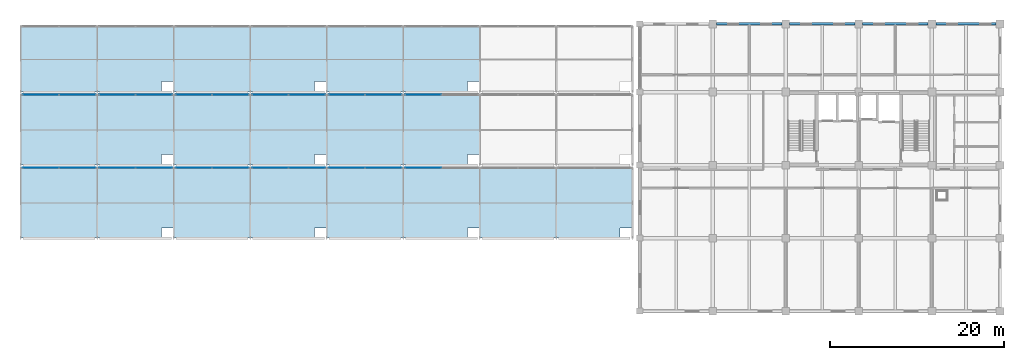
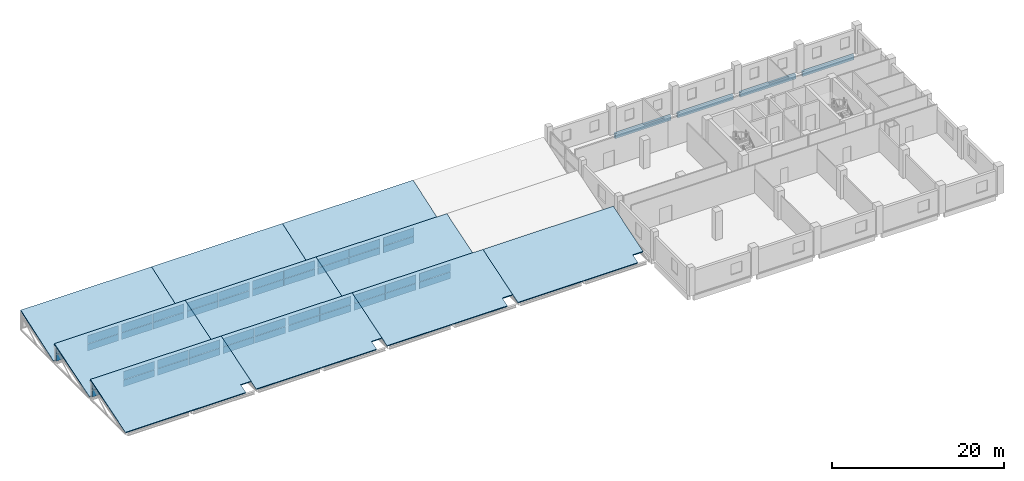
# One storey, part 27 of 40: 44 plates, 10 slabs, 4 beams, 13 elements without a shape of their own.
"""IFC4 building model written with IfcOpenShell, lengths in metres."""

from ifc_helpers import new_model, si_unit, direction, frame, origin, origin_2d, place, context, subcontext, project, spatial, polyline, rectangle, outline, extrude, material, layer, layer_set, material_profile, profile_set, type_object, element, aggregate, save


model = new_model("IFC4")

# Units and contexts
model_context = context("Model", 3, precision=1e-05, world=origin(), true_north=direction((0.0, 1.0)))
body_context = subcontext(model_context, "Body", "Model", "MODEL_VIEW")
ifc_project = project(units=[si_unit("LENGTHUNIT", "METRE"), si_unit("AREAUNIT", "SQUARE_METRE"), si_unit("VOLUMEUNIT", "CUBIC_METRE"), si_unit("PLANEANGLEUNIT", "RADIAN"), si_unit("MASSUNIT", "GRAM", prefix="KILO")], contexts=[model_context])

# Site, building, storey
site_placement = place(None, origin())
site = spatial("IfcSite", under=ifc_project, at=site_placement, CompositionType="ELEMENT")
building_placement = place(site_placement, origin())
building = spatial("IfcBuilding", under=site, at=building_placement, Name="Brinegate Botanical Conservatory", CompositionType="ELEMENT")
storey_placement = place(building_placement, frame((0.0, 0.0, 19.199951171875)))
storey = spatial("IfcBuildingStorey", under=building, at=storey_placement, Name="L05", CompositionType="ELEMENT", Elevation=19.199951171875)

# Beams
ifc_material_1 = material(Name="Concrete C40/50", Category="concrete")
ifc_material_profile = material_profile(ifc_material_1, rectangle(XDim=0.300048828125, YDim=0.699951171875, at=origin_2d()), Name="RC SPN 300x700")
ifc_profile_set = profile_set([ifc_material_profile], Name="Concrete C40/50")
beam_type = type_object("IfcBeamType", Name="Beam_SP-02", PredefinedType="SPANDREL", material=ifc_profile_set)
for number, where, z_axis, x_axis, name in (
    (1, (130.85009765625, 111.449951171875, -0.58984375), (1.0, 0.0, 0.0), (0.0, 1.0, 0.0), "Beam SP-02 L05 P:17-18"),
    (2, (139.25, 111.449951171875, -0.58984375), (1.0, 0.0, 0.0), (0.0, 1.0, 0.0), "Beam SP-02 L05 P:18-19"),
    (3, (147.64990234375, 111.449951171875, -0.58984375), (1.0, 0.0, 0.0), (0.0, 1.0, 0.0), "Beam SP-02 L05 P:19-20"),
):
    element("IfcBeam", number, at=place(storey_placement, frame(where, z_axis=z_axis, x_axis=x_axis)), inside=storey, type_object=beam_type, Name=name, PredefinedType="SPANDREL", context=body_context, shape_type="SweptSolid", body=[
        extrude(rectangle(XDim=0.300048828125, YDim=0.699951171875, at=origin_2d()), origin(), (0.0, 0.0, 1.0), 7.5),
    ])
beam_placement = place(storey_placement, frame((156.050048828125, 111.449951171875, -0.58984375), z_axis=(1.0, 0.0, 0.0), x_axis=(0.0, 1.0, 0.0)))
element("IfcBeam", 4, at=beam_placement, inside=storey, type_object=beam_type, Name="Beam SP-02 L05 P:20-21", PredefinedType="SPANDREL", context=body_context, shape_type="SweptSolid", body=[
    extrude(rectangle(XDim=0.300048828125, YDim=0.699951171875, at=origin_2d()), origin(), (0.0, 0.0, 1.0), 6.949951171875),
])

# Curtain wall, plates
ifc_material_2 = material(Name="Thermally broken anodised aluminium AW-6063-T6", Category="aluminium")
curtain_wall_type = type_object("IfcCurtainWallType", Name="CW_CW-SAW", PredefinedType="USERDEFINED", material=ifc_material_2)
curtain_wall_1_placement = place(storey_placement, origin())
curtain_wall_1 = element("IfcCurtainWall", 5, at=curtain_wall_1_placement, inside=storey, type_object=curtain_wall_type, Name="Sawtooth north-light clerestory B1.1", ObjectType="FACTORY CURTAIN WALL", PredefinedType="USERDEFINED")
ifc_material_3 = material(Name="Double-silver Low-E laminated safety glass", Category="glass")
ifc_layer_1 = layer(ifc_material_3, 0.0400390625, Name="Double-silver Low-E laminated safety glass", Category="glass")
ifc_layer_set_1 = layer_set([ifc_layer_1], Name="Double-silver Low-E laminated safety glass")
plate_type = type_object("IfcPlateType", Name="Plate_PN-40", PredefinedType="CURTAIN_PANEL", material=ifc_layer_set_1)
plate_1_placement = place(storey_placement, frame((53.090087890625, 94.89990234375, 0.2099609375), z_axis=(0.0, 0.0, 1.0), x_axis=(1.0, 0.0, 0.0)))
plate_1 = element("IfcPlate", 6, at=plate_1_placement, type_object=plate_type, Name="CW-SAW panel 1.1", PredefinedType="CURTAIN_PANEL", context=body_context, shape_type="SweptSolid", body=[
    extrude(rectangle(XDim=4.159912109375, YDim=0.0400390625, at=origin_2d()), origin(), (0.0, 0.0, 1.0), 0.945068359375),
])
plate_2_placement = place(storey_placement, frame((53.090087890625, 94.89990234375, 1.21484375), z_axis=(0.0, 0.0, 1.0), x_axis=(1.0, 0.0, 0.0)))
plate_2 = element("IfcPlate", 7, at=plate_2_placement, type_object=plate_type, Name="CW-SAW panel 1.2", PredefinedType="CURTAIN_PANEL", context=body_context, shape_type="SweptSolid", body=[
    extrude(rectangle(XDim=4.159912109375, YDim=0.0400390625, at=origin_2d()), origin(), (0.0, 0.0, 1.0), 1.175048828125),
])
plate_3_placement = place(storey_placement, frame((57.31005859375, 94.89990234375, 0.2099609375), z_axis=(0.0, 0.0, 1.0), x_axis=(1.0, 0.0, 0.0)))
plate_3 = element("IfcPlate", 8, at=plate_3_placement, type_object=plate_type, Name="CW-SAW panel 2.1", PredefinedType="CURTAIN_PANEL", context=body_context, shape_type="SweptSolid", body=[
    extrude(rectangle(XDim=4.159912109375, YDim=0.0400390625, at=origin_2d()), origin(), (0.0, 0.0, 1.0), 0.945068359375),
])
plate_4_placement = place(storey_placement, frame((57.31005859375, 94.89990234375, 1.21484375), z_axis=(0.0, 0.0, 1.0), x_axis=(1.0, 0.0, 0.0)))
plate_4 = element("IfcPlate", 9, at=plate_4_placement, type_object=plate_type, Name="CW-SAW panel 2.2", PredefinedType="CURTAIN_PANEL", context=body_context, shape_type="SweptSolid", body=[
    extrude(rectangle(XDim=4.159912109375, YDim=0.0400390625, at=origin_2d()), origin(), (0.0, 0.0, 1.0), 1.175048828125),
])
aggregate(curtain_wall_1, [plate_1, plate_2, plate_3, plate_4])

curtain_wall_2_placement = place(storey_placement, origin())
curtain_wall_2 = element("IfcCurtainWall", 10, at=curtain_wall_2_placement, inside=storey, type_object=curtain_wall_type, Name="Sawtooth north-light clerestory B1.2", ObjectType="FACTORY CURTAIN WALL", PredefinedType="USERDEFINED")
plate_5_placement = place(storey_placement, frame((61.889892578125, 94.89990234375, 0.2099609375), z_axis=(0.0, 0.0, 1.0), x_axis=(1.0, 0.0, 0.0)))
plate_5 = element("IfcPlate", 11, at=plate_5_placement, type_object=plate_type, Name="CW-SAW panel 1.1", PredefinedType="CURTAIN_PANEL", context=body_context, shape_type="SweptSolid", body=[
    extrude(rectangle(XDim=4.159912109375, YDim=0.0400390625, at=origin_2d()), origin(), (0.0, 0.0, 1.0), 0.945068359375),
])
plate_6_placement = place(storey_placement, frame((61.889892578125, 94.89990234375, 1.21484375), z_axis=(0.0, 0.0, 1.0), x_axis=(1.0, 0.0, 0.0)))
plate_6 = element("IfcPlate", 12, at=plate_6_placement, type_object=plate_type, Name="CW-SAW panel 1.2", PredefinedType="CURTAIN_PANEL", context=body_context, shape_type="SweptSolid", body=[
    extrude(rectangle(XDim=4.159912109375, YDim=0.0400390625, at=origin_2d()), origin(), (0.0, 0.0, 1.0), 1.175048828125),
])
plate_7_placement = place(storey_placement, frame((66.110107421875, 94.89990234375, 0.2099609375), z_axis=(0.0, 0.0, 1.0), x_axis=(1.0, 0.0, 0.0)))
plate_7 = element("IfcPlate", 13, at=plate_7_placement, type_object=plate_type, Name="CW-SAW panel 2.1", PredefinedType="CURTAIN_PANEL", context=body_context, shape_type="SweptSolid", body=[
    extrude(rectangle(XDim=4.159912109375, YDim=0.0400390625, at=origin_2d()), origin(), (0.0, 0.0, 1.0), 0.945068359375),
])
plate_8_placement = place(storey_placement, frame((66.110107421875, 94.89990234375, 1.21484375), z_axis=(0.0, 0.0, 1.0), x_axis=(1.0, 0.0, 0.0)))
plate_8 = element("IfcPlate", 14, at=plate_8_placement, type_object=plate_type, Name="CW-SAW panel 2.2", PredefinedType="CURTAIN_PANEL", context=body_context, shape_type="SweptSolid", body=[
    extrude(rectangle(XDim=4.159912109375, YDim=0.0400390625, at=origin_2d()), origin(), (0.0, 0.0, 1.0), 1.175048828125),
])
aggregate(curtain_wall_2, [plate_5, plate_6, plate_7, plate_8])

curtain_wall_3_placement = place(storey_placement, origin())
curtain_wall_3 = element("IfcCurtainWall", 15, at=curtain_wall_3_placement, inside=storey, type_object=curtain_wall_type, Name="Sawtooth north-light clerestory B1.3", ObjectType="FACTORY CURTAIN WALL", PredefinedType="USERDEFINED")
plate_9_placement = place(storey_placement, frame((70.68994140625, 94.89990234375, 0.2099609375), z_axis=(0.0, 0.0, 1.0), x_axis=(1.0, 0.0, 0.0)))
plate_9 = element("IfcPlate", 16, at=plate_9_placement, type_object=plate_type, Name="CW-SAW panel 1.1", PredefinedType="CURTAIN_PANEL", context=body_context, shape_type="SweptSolid", body=[
    extrude(rectangle(XDim=4.159912109375, YDim=0.0400390625, at=origin_2d()), origin(), (0.0, 0.0, 1.0), 0.945068359375),
])
plate_10_placement = place(storey_placement, frame((70.68994140625, 94.89990234375, 1.21484375), z_axis=(0.0, 0.0, 1.0), x_axis=(1.0, 0.0, 0.0)))
plate_10 = element("IfcPlate", 17, at=plate_10_placement, type_object=plate_type, Name="CW-SAW panel 1.2", PredefinedType="CURTAIN_PANEL", context=body_context, shape_type="SweptSolid", body=[
    extrude(rectangle(XDim=4.159912109375, YDim=0.0400390625, at=origin_2d()), origin(), (0.0, 0.0, 1.0), 1.175048828125),
])
plate_11_placement = place(storey_placement, frame((74.909912109375, 94.89990234375, 0.2099609375), z_axis=(0.0, 0.0, 1.0), x_axis=(1.0, 0.0, 0.0)))
plate_11 = element("IfcPlate", 18, at=plate_11_placement, type_object=plate_type, Name="CW-SAW panel 2.1", PredefinedType="CURTAIN_PANEL", context=body_context, shape_type="SweptSolid", body=[
    extrude(rectangle(XDim=4.159912109375, YDim=0.0400390625, at=origin_2d()), origin(), (0.0, 0.0, 1.0), 0.945068359375),
])
plate_12_placement = place(storey_placement, frame((74.909912109375, 94.89990234375, 1.21484375), z_axis=(0.0, 0.0, 1.0), x_axis=(1.0, 0.0, 0.0)))
plate_12 = element("IfcPlate", 19, at=plate_12_placement, type_object=plate_type, Name="CW-SAW panel 2.2", PredefinedType="CURTAIN_PANEL", context=body_context, shape_type="SweptSolid", body=[
    extrude(rectangle(XDim=4.159912109375, YDim=0.0400390625, at=origin_2d()), origin(), (0.0, 0.0, 1.0), 1.175048828125),
])
aggregate(curtain_wall_3, [plate_9, plate_10, plate_11, plate_12])

curtain_wall_4_placement = place(storey_placement, origin())
curtain_wall_4 = element("IfcCurtainWall", 20, at=curtain_wall_4_placement, inside=storey, type_object=curtain_wall_type, Name="Sawtooth north-light clerestory B1.4", ObjectType="FACTORY CURTAIN WALL", PredefinedType="USERDEFINED")
plate_13_placement = place(storey_placement, frame((79.489990234375, 94.89990234375, 0.2099609375), z_axis=(0.0, 0.0, 1.0), x_axis=(1.0, 0.0, 0.0)))
plate_13 = element("IfcPlate", 21, at=plate_13_placement, type_object=plate_type, Name="CW-SAW panel 1.1", PredefinedType="CURTAIN_PANEL", context=body_context, shape_type="SweptSolid", body=[
    extrude(rectangle(XDim=4.159912109375, YDim=0.0400390625, at=origin_2d()), origin(), (0.0, 0.0, 1.0), 0.945068359375),
])
plate_14_placement = place(storey_placement, frame((79.489990234375, 94.89990234375, 1.21484375), z_axis=(0.0, 0.0, 1.0), x_axis=(1.0, 0.0, 0.0)))
plate_14 = element("IfcPlate", 22, at=plate_14_placement, type_object=plate_type, Name="CW-SAW panel 1.2", PredefinedType="CURTAIN_PANEL", context=body_context, shape_type="SweptSolid", body=[
    extrude(rectangle(XDim=4.159912109375, YDim=0.0400390625, at=origin_2d()), origin(), (0.0, 0.0, 1.0), 1.175048828125),
])
plate_15_placement = place(storey_placement, frame((83.7099609375, 94.89990234375, 0.2099609375), z_axis=(0.0, 0.0, 1.0), x_axis=(1.0, 0.0, 0.0)))
plate_15 = element("IfcPlate", 23, at=plate_15_placement, type_object=plate_type, Name="CW-SAW panel 2.1", PredefinedType="CURTAIN_PANEL", context=body_context, shape_type="SweptSolid", body=[
    extrude(rectangle(XDim=4.159912109375, YDim=0.0400390625, at=origin_2d()), origin(), (0.0, 0.0, 1.0), 0.945068359375),
])
plate_16_placement = place(storey_placement, frame((83.7099609375, 94.89990234375, 1.21484375), z_axis=(0.0, 0.0, 1.0), x_axis=(1.0, 0.0, 0.0)))
plate_16 = element("IfcPlate", 24, at=plate_16_placement, type_object=plate_type, Name="CW-SAW panel 2.2", PredefinedType="CURTAIN_PANEL", context=body_context, shape_type="SweptSolid", body=[
    extrude(rectangle(XDim=4.159912109375, YDim=0.0400390625, at=origin_2d()), origin(), (0.0, 0.0, 1.0), 1.175048828125),
])
aggregate(curtain_wall_4, [plate_13, plate_14, plate_15, plate_16])

curtain_wall_5_placement = place(storey_placement, origin())
curtain_wall_5 = element("IfcCurtainWall", 25, at=curtain_wall_5_placement, inside=storey, type_object=curtain_wall_type, Name="Sawtooth north-light clerestory B1.5", ObjectType="FACTORY CURTAIN WALL", PredefinedType="USERDEFINED")
plate_17_placement = place(storey_placement, frame((88.2900390625, 94.89990234375, 0.2099609375), z_axis=(0.0, 0.0, 1.0), x_axis=(1.0, 0.0, 0.0)))
plate_17 = element("IfcPlate", 26, at=plate_17_placement, type_object=plate_type, Name="CW-SAW panel 1.1", PredefinedType="CURTAIN_PANEL", context=body_context, shape_type="SweptSolid", body=[
    extrude(rectangle(XDim=4.159912109375, YDim=0.0400390625, at=origin_2d()), origin(), (0.0, 0.0, 1.0), 0.945068359375),
])
plate_18_placement = place(storey_placement, frame((88.2900390625, 94.89990234375, 1.21484375), z_axis=(0.0, 0.0, 1.0), x_axis=(1.0, 0.0, 0.0)))
plate_18 = element("IfcPlate", 27, at=plate_18_placement, type_object=plate_type, Name="CW-SAW panel 1.2", PredefinedType="CURTAIN_PANEL", context=body_context, shape_type="SweptSolid", body=[
    extrude(rectangle(XDim=4.159912109375, YDim=0.0400390625, at=origin_2d()), origin(), (0.0, 0.0, 1.0), 1.175048828125),
])
plate_19_placement = place(storey_placement, frame((92.510009765625, 94.89990234375, 0.2099609375), z_axis=(0.0, 0.0, 1.0), x_axis=(1.0, 0.0, 0.0)))
plate_19 = element("IfcPlate", 28, at=plate_19_placement, type_object=plate_type, Name="CW-SAW panel 2.1", PredefinedType="CURTAIN_PANEL", context=body_context, shape_type="SweptSolid", body=[
    extrude(rectangle(XDim=4.159912109375, YDim=0.0400390625, at=origin_2d()), origin(), (0.0, 0.0, 1.0), 0.945068359375),
])
plate_20_placement = place(storey_placement, frame((92.510009765625, 94.89990234375, 1.21484375), z_axis=(0.0, 0.0, 1.0), x_axis=(1.0, 0.0, 0.0)))
plate_20 = element("IfcPlate", 29, at=plate_20_placement, type_object=plate_type, Name="CW-SAW panel 2.2", PredefinedType="CURTAIN_PANEL", context=body_context, shape_type="SweptSolid", body=[
    extrude(rectangle(XDim=4.159912109375, YDim=0.0400390625, at=origin_2d()), origin(), (0.0, 0.0, 1.0), 1.175048828125),
])
aggregate(curtain_wall_5, [plate_17, plate_18, plate_19, plate_20])

curtain_wall_6_placement = place(storey_placement, origin())
curtain_wall_6 = element("IfcCurtainWall", 30, at=curtain_wall_6_placement, inside=storey, type_object=curtain_wall_type, Name="Sawtooth north-light clerestory B1.6", ObjectType="FACTORY CURTAIN WALL", PredefinedType="USERDEFINED")
plate_21_placement = place(storey_placement, frame((97.090087890625, 94.89990234375, 0.2099609375), z_axis=(0.0, 0.0, 1.0), x_axis=(1.0, 0.0, 0.0)))
plate_21 = element("IfcPlate", 31, at=plate_21_placement, type_object=plate_type, Name="CW-SAW panel 1.1", PredefinedType="CURTAIN_PANEL", context=body_context, shape_type="SweptSolid", body=[
    extrude(rectangle(XDim=4.159912109375, YDim=0.0400390625, at=origin_2d()), origin(), (0.0, 0.0, 1.0), 0.945068359375),
])
plate_22_placement = place(storey_placement, frame((97.090087890625, 94.89990234375, 1.21484375), z_axis=(0.0, 0.0, 1.0), x_axis=(1.0, 0.0, 0.0)))
plate_22 = element("IfcPlate", 32, at=plate_22_placement, type_object=plate_type, Name="CW-SAW panel 1.2", PredefinedType="CURTAIN_PANEL", context=body_context, shape_type="SweptSolid", body=[
    extrude(rectangle(XDim=4.159912109375, YDim=0.0400390625, at=origin_2d()), origin(), (0.0, 0.0, 1.0), 1.175048828125),
])
aggregate(curtain_wall_6, [plate_21, plate_22])

curtain_wall_7_placement = place(storey_placement, origin())
curtain_wall_7 = element("IfcCurtainWall", 33, at=curtain_wall_7_placement, inside=storey, type_object=curtain_wall_type, Name="Sawtooth north-light clerestory B2.1", ObjectType="FACTORY CURTAIN WALL", PredefinedType="USERDEFINED")
plate_23_placement = place(storey_placement, frame((53.090087890625, 103.300048828125, 0.2099609375), z_axis=(0.0, 0.0, 1.0), x_axis=(1.0, 0.0, 0.0)))
plate_23 = element("IfcPlate", 34, at=plate_23_placement, type_object=plate_type, Name="CW-SAW panel 1.1", PredefinedType="CURTAIN_PANEL", context=body_context, shape_type="SweptSolid", body=[
    extrude(rectangle(XDim=4.159912109375, YDim=0.0400390625, at=origin_2d()), origin(), (0.0, 0.0, 1.0), 0.945068359375),
])
plate_24_placement = place(storey_placement, frame((53.090087890625, 103.300048828125, 1.21484375), z_axis=(0.0, 0.0, 1.0), x_axis=(1.0, 0.0, 0.0)))
plate_24 = element("IfcPlate", 35, at=plate_24_placement, type_object=plate_type, Name="CW-SAW panel 1.2", PredefinedType="CURTAIN_PANEL", context=body_context, shape_type="SweptSolid", body=[
    extrude(rectangle(XDim=4.159912109375, YDim=0.0400390625, at=origin_2d()), origin(), (0.0, 0.0, 1.0), 1.175048828125),
])
plate_25_placement = place(storey_placement, frame((57.31005859375, 103.300048828125, 0.2099609375), z_axis=(0.0, 0.0, 1.0), x_axis=(1.0, 0.0, 0.0)))
plate_25 = element("IfcPlate", 36, at=plate_25_placement, type_object=plate_type, Name="CW-SAW panel 2.1", PredefinedType="CURTAIN_PANEL", context=body_context, shape_type="SweptSolid", body=[
    extrude(rectangle(XDim=4.159912109375, YDim=0.0400390625, at=origin_2d()), origin(), (0.0, 0.0, 1.0), 0.945068359375),
])
plate_26_placement = place(storey_placement, frame((57.31005859375, 103.300048828125, 1.21484375), z_axis=(0.0, 0.0, 1.0), x_axis=(1.0, 0.0, 0.0)))
plate_26 = element("IfcPlate", 37, at=plate_26_placement, type_object=plate_type, Name="CW-SAW panel 2.2", PredefinedType="CURTAIN_PANEL", context=body_context, shape_type="SweptSolid", body=[
    extrude(rectangle(XDim=4.159912109375, YDim=0.0400390625, at=origin_2d()), origin(), (0.0, 0.0, 1.0), 1.175048828125),
])
aggregate(curtain_wall_7, [plate_23, plate_24, plate_25, plate_26])

curtain_wall_8_placement = place(storey_placement, origin())
curtain_wall_8 = element("IfcCurtainWall", 38, at=curtain_wall_8_placement, inside=storey, type_object=curtain_wall_type, Name="Sawtooth north-light clerestory B2.2", ObjectType="FACTORY CURTAIN WALL", PredefinedType="USERDEFINED")
plate_27_placement = place(storey_placement, frame((61.889892578125, 103.300048828125, 0.2099609375), z_axis=(0.0, 0.0, 1.0), x_axis=(1.0, 0.0, 0.0)))
plate_27 = element("IfcPlate", 39, at=plate_27_placement, type_object=plate_type, Name="CW-SAW panel 1.1", PredefinedType="CURTAIN_PANEL", context=body_context, shape_type="SweptSolid", body=[
    extrude(rectangle(XDim=4.159912109375, YDim=0.0400390625, at=origin_2d()), origin(), (0.0, 0.0, 1.0), 0.945068359375),
])
plate_28_placement = place(storey_placement, frame((61.889892578125, 103.300048828125, 1.21484375), z_axis=(0.0, 0.0, 1.0), x_axis=(1.0, 0.0, 0.0)))
plate_28 = element("IfcPlate", 40, at=plate_28_placement, type_object=plate_type, Name="CW-SAW panel 1.2", PredefinedType="CURTAIN_PANEL", context=body_context, shape_type="SweptSolid", body=[
    extrude(rectangle(XDim=4.159912109375, YDim=0.0400390625, at=origin_2d()), origin(), (0.0, 0.0, 1.0), 1.175048828125),
])
plate_29_placement = place(storey_placement, frame((66.110107421875, 103.300048828125, 0.2099609375), z_axis=(0.0, 0.0, 1.0), x_axis=(1.0, 0.0, 0.0)))
plate_29 = element("IfcPlate", 41, at=plate_29_placement, type_object=plate_type, Name="CW-SAW panel 2.1", PredefinedType="CURTAIN_PANEL", context=body_context, shape_type="SweptSolid", body=[
    extrude(rectangle(XDim=4.159912109375, YDim=0.0400390625, at=origin_2d()), origin(), (0.0, 0.0, 1.0), 0.945068359375),
])
plate_30_placement = place(storey_placement, frame((66.110107421875, 103.300048828125, 1.21484375), z_axis=(0.0, 0.0, 1.0), x_axis=(1.0, 0.0, 0.0)))
plate_30 = element("IfcPlate", 42, at=plate_30_placement, type_object=plate_type, Name="CW-SAW panel 2.2", PredefinedType="CURTAIN_PANEL", context=body_context, shape_type="SweptSolid", body=[
    extrude(rectangle(XDim=4.159912109375, YDim=0.0400390625, at=origin_2d()), origin(), (0.0, 0.0, 1.0), 1.175048828125),
])
aggregate(curtain_wall_8, [plate_27, plate_28, plate_29, plate_30])

curtain_wall_9_placement = place(storey_placement, origin())
curtain_wall_9 = element("IfcCurtainWall", 43, at=curtain_wall_9_placement, inside=storey, type_object=curtain_wall_type, Name="Sawtooth north-light clerestory B2.3", ObjectType="FACTORY CURTAIN WALL", PredefinedType="USERDEFINED")
plate_31_placement = place(storey_placement, frame((70.68994140625, 103.300048828125, 0.2099609375), z_axis=(0.0, 0.0, 1.0), x_axis=(1.0, 0.0, 0.0)))
plate_31 = element("IfcPlate", 44, at=plate_31_placement, type_object=plate_type, Name="CW-SAW panel 1.1", PredefinedType="CURTAIN_PANEL", context=body_context, shape_type="SweptSolid", body=[
    extrude(rectangle(XDim=4.159912109375, YDim=0.0400390625, at=origin_2d()), origin(), (0.0, 0.0, 1.0), 0.945068359375),
])
plate_32_placement = place(storey_placement, frame((70.68994140625, 103.300048828125, 1.21484375), z_axis=(0.0, 0.0, 1.0), x_axis=(1.0, 0.0, 0.0)))
plate_32 = element("IfcPlate", 45, at=plate_32_placement, type_object=plate_type, Name="CW-SAW panel 1.2", PredefinedType="CURTAIN_PANEL", context=body_context, shape_type="SweptSolid", body=[
    extrude(rectangle(XDim=4.159912109375, YDim=0.0400390625, at=origin_2d()), origin(), (0.0, 0.0, 1.0), 1.175048828125),
])
plate_33_placement = place(storey_placement, frame((74.909912109375, 103.300048828125, 0.2099609375), z_axis=(0.0, 0.0, 1.0), x_axis=(1.0, 0.0, 0.0)))
plate_33 = element("IfcPlate", 46, at=plate_33_placement, type_object=plate_type, Name="CW-SAW panel 2.1", PredefinedType="CURTAIN_PANEL", context=body_context, shape_type="SweptSolid", body=[
    extrude(rectangle(XDim=4.159912109375, YDim=0.0400390625, at=origin_2d()), origin(), (0.0, 0.0, 1.0), 0.945068359375),
])
plate_34_placement = place(storey_placement, frame((74.909912109375, 103.300048828125, 1.21484375), z_axis=(0.0, 0.0, 1.0), x_axis=(1.0, 0.0, 0.0)))
plate_34 = element("IfcPlate", 47, at=plate_34_placement, type_object=plate_type, Name="CW-SAW panel 2.2", PredefinedType="CURTAIN_PANEL", context=body_context, shape_type="SweptSolid", body=[
    extrude(rectangle(XDim=4.159912109375, YDim=0.0400390625, at=origin_2d()), origin(), (0.0, 0.0, 1.0), 1.175048828125),
])
aggregate(curtain_wall_9, [plate_31, plate_32, plate_33, plate_34])

curtain_wall_10_placement = place(storey_placement, origin())
curtain_wall_10 = element("IfcCurtainWall", 48, at=curtain_wall_10_placement, inside=storey, type_object=curtain_wall_type, Name="Sawtooth north-light clerestory B2.4", ObjectType="FACTORY CURTAIN WALL", PredefinedType="USERDEFINED")
plate_35_placement = place(storey_placement, frame((79.489990234375, 103.300048828125, 0.2099609375), z_axis=(0.0, 0.0, 1.0), x_axis=(1.0, 0.0, 0.0)))
plate_35 = element("IfcPlate", 49, at=plate_35_placement, type_object=plate_type, Name="CW-SAW panel 1.1", PredefinedType="CURTAIN_PANEL", context=body_context, shape_type="SweptSolid", body=[
    extrude(rectangle(XDim=4.159912109375, YDim=0.0400390625, at=origin_2d()), origin(), (0.0, 0.0, 1.0), 0.945068359375),
])
plate_36_placement = place(storey_placement, frame((79.489990234375, 103.300048828125, 1.21484375), z_axis=(0.0, 0.0, 1.0), x_axis=(1.0, 0.0, 0.0)))
plate_36 = element("IfcPlate", 50, at=plate_36_placement, type_object=plate_type, Name="CW-SAW panel 1.2", PredefinedType="CURTAIN_PANEL", context=body_context, shape_type="SweptSolid", body=[
    extrude(rectangle(XDim=4.159912109375, YDim=0.0400390625, at=origin_2d()), origin(), (0.0, 0.0, 1.0), 1.175048828125),
])
plate_37_placement = place(storey_placement, frame((83.7099609375, 103.300048828125, 0.2099609375), z_axis=(0.0, 0.0, 1.0), x_axis=(1.0, 0.0, 0.0)))
plate_37 = element("IfcPlate", 51, at=plate_37_placement, type_object=plate_type, Name="CW-SAW panel 2.1", PredefinedType="CURTAIN_PANEL", context=body_context, shape_type="SweptSolid", body=[
    extrude(rectangle(XDim=4.159912109375, YDim=0.0400390625, at=origin_2d()), origin(), (0.0, 0.0, 1.0), 0.945068359375),
])
plate_38_placement = place(storey_placement, frame((83.7099609375, 103.300048828125, 1.21484375), z_axis=(0.0, 0.0, 1.0), x_axis=(1.0, 0.0, 0.0)))
plate_38 = element("IfcPlate", 52, at=plate_38_placement, type_object=plate_type, Name="CW-SAW panel 2.2", PredefinedType="CURTAIN_PANEL", context=body_context, shape_type="SweptSolid", body=[
    extrude(rectangle(XDim=4.159912109375, YDim=0.0400390625, at=origin_2d()), origin(), (0.0, 0.0, 1.0), 1.175048828125),
])
aggregate(curtain_wall_10, [plate_35, plate_36, plate_37, plate_38])

curtain_wall_11_placement = place(storey_placement, origin())
curtain_wall_11 = element("IfcCurtainWall", 53, at=curtain_wall_11_placement, inside=storey, type_object=curtain_wall_type, Name="Sawtooth north-light clerestory B2.5", ObjectType="FACTORY CURTAIN WALL", PredefinedType="USERDEFINED")
plate_39_placement = place(storey_placement, frame((88.2900390625, 103.300048828125, 0.2099609375), z_axis=(0.0, 0.0, 1.0), x_axis=(1.0, 0.0, 0.0)))
plate_39 = element("IfcPlate", 54, at=plate_39_placement, type_object=plate_type, Name="CW-SAW panel 1.1", PredefinedType="CURTAIN_PANEL", context=body_context, shape_type="SweptSolid", body=[
    extrude(rectangle(XDim=4.159912109375, YDim=0.0400390625, at=origin_2d()), origin(), (0.0, 0.0, 1.0), 0.945068359375),
])
plate_40_placement = place(storey_placement, frame((88.2900390625, 103.300048828125, 1.21484375), z_axis=(0.0, 0.0, 1.0), x_axis=(1.0, 0.0, 0.0)))
plate_40 = element("IfcPlate", 55, at=plate_40_placement, type_object=plate_type, Name="CW-SAW panel 1.2", PredefinedType="CURTAIN_PANEL", context=body_context, shape_type="SweptSolid", body=[
    extrude(rectangle(XDim=4.159912109375, YDim=0.0400390625, at=origin_2d()), origin(), (0.0, 0.0, 1.0), 1.175048828125),
])
plate_41_placement = place(storey_placement, frame((92.510009765625, 103.300048828125, 0.2099609375), z_axis=(0.0, 0.0, 1.0), x_axis=(1.0, 0.0, 0.0)))
plate_41 = element("IfcPlate", 56, at=plate_41_placement, type_object=plate_type, Name="CW-SAW panel 2.1", PredefinedType="CURTAIN_PANEL", context=body_context, shape_type="SweptSolid", body=[
    extrude(rectangle(XDim=4.159912109375, YDim=0.0400390625, at=origin_2d()), origin(), (0.0, 0.0, 1.0), 0.945068359375),
])
plate_42_placement = place(storey_placement, frame((92.510009765625, 103.300048828125, 1.21484375), z_axis=(0.0, 0.0, 1.0), x_axis=(1.0, 0.0, 0.0)))
plate_42 = element("IfcPlate", 57, at=plate_42_placement, type_object=plate_type, Name="CW-SAW panel 2.2", PredefinedType="CURTAIN_PANEL", context=body_context, shape_type="SweptSolid", body=[
    extrude(rectangle(XDim=4.159912109375, YDim=0.0400390625, at=origin_2d()), origin(), (0.0, 0.0, 1.0), 1.175048828125),
])
aggregate(curtain_wall_11, [plate_39, plate_40, plate_41, plate_42])

curtain_wall_12_placement = place(storey_placement, origin())
curtain_wall_12 = element("IfcCurtainWall", 58, at=curtain_wall_12_placement, inside=storey, type_object=curtain_wall_type, Name="Sawtooth north-light clerestory B2.6", ObjectType="FACTORY CURTAIN WALL", PredefinedType="USERDEFINED")
plate_43_placement = place(storey_placement, frame((97.090087890625, 103.300048828125, 0.2099609375), z_axis=(0.0, 0.0, 1.0), x_axis=(1.0, 0.0, 0.0)))
plate_43 = element("IfcPlate", 59, at=plate_43_placement, type_object=plate_type, Name="CW-SAW panel 1.1", PredefinedType="CURTAIN_PANEL", context=body_context, shape_type="SweptSolid", body=[
    extrude(rectangle(XDim=4.159912109375, YDim=0.0400390625, at=origin_2d()), origin(), (0.0, 0.0, 1.0), 0.945068359375),
])
plate_44_placement = place(storey_placement, frame((97.090087890625, 103.300048828125, 1.21484375), z_axis=(0.0, 0.0, 1.0), x_axis=(1.0, 0.0, 0.0)))
plate_44 = element("IfcPlate", 60, at=plate_44_placement, type_object=plate_type, Name="CW-SAW panel 1.2", PredefinedType="CURTAIN_PANEL", context=body_context, shape_type="SweptSolid", body=[
    extrude(rectangle(XDim=4.159912109375, YDim=0.0400390625, at=origin_2d()), origin(), (0.0, 0.0, 1.0), 1.175048828125),
])
aggregate(curtain_wall_12, [plate_43, plate_44])

# Roof, slabs
roof_type = type_object("IfcRoofType", Name="Roof_SAWTOOTH", PredefinedType="SHED_ROOF", material=ifc_material_1)
roof_placement = place(storey_placement, origin())
roof = element("IfcRoof", 61, at=roof_placement, inside=storey, type_object=roof_type, Name="Visitor Wing north-light sawtooth roof assembly", PredefinedType="SHED_ROOF")
ifc_layer_2 = layer(ifc_material_1, 0.179931640625, Name="Concrete C40/50", Category="concrete")
ifc_layer_set_2 = layer_set([ifc_layer_2], Name="Concrete C40/50")
slab_type = type_object("IfcSlabType", Name="Slab_SL-RF180", PredefinedType="ROOF", material=ifc_layer_set_2)
slab_1_placement = place(storey_placement, frame((50.800048828125, 86.800048828125, 0.179931640625), z_axis=(-6.330734e-06, -0.30393900328, 0.95269149374), x_axis=(0.99999999998, -1.924157e-06, 6.031236e-06)))
slab_1 = element("IfcSlab", 62, at=slab_1_placement, type_object=slab_type, Name="Visitor sawtooth roof deck bay 1.1", PredefinedType="ROOF", context=body_context, shape_type="SweptSolid", body=[
    extrude(outline(polyline([(0.0, 0.0), (16.199951171550367, -3.4304730966222595e-21), (16.199951172961107, 1.2596091279255797), (17.599853516683055, 1.2596091279255797), (17.599853515384527, 8.554613727947295), (1.122111108526236e-10, 8.554613727947295), (0.0, 0.0)])), origin(), (0.0, 0.0, -1.0), 0.179931640625),
])
slab_2_placement = place(storey_placement, frame((68.39990234375, 86.800048828125, 0.179931640625), z_axis=(-6.330645e-06, -0.303939003307, 0.952691493732), x_axis=(0.99999999998, -1.92413e-06, 6.031152e-06)))
slab_2 = element("IfcSlab", 63, at=slab_2_placement, type_object=slab_type, Name="Visitor sawtooth roof deck bay 1.2", PredefinedType="ROOF", context=body_context, shape_type="SweptSolid", body=[
    extrude(outline(polyline([(0.0, 0.0), (16.20019531217537, 3.430524795410544e-21), (16.20019531358609, 1.2596091279255863), (17.600097657308037, 1.2596091279255863), (17.600097656009527, 8.554613727947297), (1.1220796089294683e-10, 8.554613727947297), (0.0, 0.0)])), origin(), (0.0, 0.0, -1.0), 0.179931640625),
])
slab_3_placement = place(storey_placement, frame((86.0, 86.800048828125, 0.179931640625), z_axis=(-6.330658e-06, -0.303939002959, 0.952691493843), x_axis=(0.99999999998, -1.924134e-06, 6.031164e-06)))
slab_3 = element("IfcSlab", 64, at=slab_3_placement, type_object=slab_type, Name="Visitor sawtooth roof deck bay 1.3", PredefinedType="ROOF", context=body_context, shape_type="SweptSolid", body=[
    extrude(outline(polyline([(0.0, 0.0), (16.199951171550378, -3.4304730966222595e-21), (16.199951172961104, 1.2596091279255048), (17.600097657308044, 1.2596091279255048), (17.60009765600955, 8.55461372794729), (1.1222799365921839e-10, 8.55461372794729), (0.0, 0.0)])), origin(), (0.0, 0.0, -1.0), 0.179931640625),
])
slab_4_placement = place(storey_placement, frame((103.60009765625, 86.800048828125, 0.179931640625), z_axis=(-6.349003e-06, -0.303938997583, 0.952691495558), x_axis=(0.99999999998, -1.929709e-06, 6.048641e-06)))
slab_4 = element("IfcSlab", 65, at=slab_4_placement, type_object=slab_type, Name="Visitor sawtooth roof deck bay 1.4", PredefinedType="ROOF", context=body_context, shape_type="SweptSolid", body=[
    extrude(outline(polyline([(0.0, 0.0), (16.1499023434245, 3.419874845023924e-21), (16.149902344839358, 1.2596091279242472), (17.549804688561142, 1.2596091279242472), (17.549804687259144, 8.554613727947189), (1.1285966273336177e-10, 8.554613727947189), (0.0, 0.0)])), origin(), (0.0, 0.0, -1.0), 0.179931640625),
])
slab_5_placement = place(storey_placement, frame((50.800048828125, 95.199951171875, 0.179931640625), z_axis=(-6.644805e-06, -0.303930641794, 0.952694161279), x_axis=(0.999999999978, -2.01956e-06, 6.330466e-06)))
slab_5 = element("IfcSlab", 66, at=slab_5_placement, type_object=slab_type, Name="Visitor sawtooth roof deck bay 2.1", PredefinedType="ROOF", context=body_context, shape_type="SweptSolid", body=[
    extrude(outline(polyline([(0.0, 0.0), (16.19995117151736, 0.0), (16.199951173071543, 1.2596091259212694), (17.59985351679064, 1.2596091259212694), (17.599853515360074, 8.554846318810222), (1.2362097324671245e-10, 8.554846318810222), (0.0, 0.0)])), origin(), (0.0, 0.0, -1.0), 0.179931640625),
])
slab_6_placement = place(storey_placement, frame((68.39990234375, 95.199951171875, 0.179931640625), z_axis=(-6.644711e-06, -0.303930641823, 0.95269416127), x_axis=(0.999999999978, -2.019531e-06, 6.330378e-06)))
slab_6 = element("IfcSlab", 67, at=slab_6_placement, type_object=slab_type, Name="Visitor sawtooth roof deck bay 2.2", PredefinedType="ROOF", context=body_context, shape_type="SweptSolid", body=[
    extrude(outline(polyline([(0.0, 0.0), (16.200195312142363, 0.0), (16.20019531369653, 1.2596091259212767), (17.600097657415624, 1.2596091259212767), (17.600097655985078, 8.554846318810224), (1.236175030001614e-10, 8.554846318810224), (0.0, 0.0)])), origin(), (0.0, 0.0, -1.0), 0.179931640625),
])
slab_7_placement = place(storey_placement, frame((86.0, 95.199951171875, 0.179931640625), z_axis=(-6.644725e-06, -0.303930641457, 0.952694161386), x_axis=(0.999999999978, -2.019536e-06, 6.330391e-06)))
slab_7 = element("IfcSlab", 68, at=slab_7_placement, type_object=slab_type, Name="Visitor sawtooth roof deck bay 2.3", PredefinedType="ROOF", context=body_context, shape_type="SweptSolid", body=[
    extrude(outline(polyline([(0.0, 0.0), (16.19995117151737, 0.0), (16.199951173071543, 1.2596091259211866), (17.60009765741563, 1.2596091259211866), (17.6000976559851, 8.554846318810215), (1.2363957272481705e-10, 8.554846318810215), (0.0, 0.0)])), origin(), (0.0, 0.0, -1.0), 0.179931640625),
])
slab_8_placement = place(storey_placement, frame((50.800048828125, 103.60009765625, 0.179931640625), z_axis=(-3.037613e-06, -0.323703146531, 0.946158693305), x_axis=(0.999999999995, -9.83285e-07, 2.874064e-06)))
slab_8 = element("IfcSlab", 69, at=slab_8_placement, type_object=slab_type, Name="Visitor sawtooth roof deck bay 3.1", PredefinedType="ROOF", context=body_context, shape_type="SweptSolid", body=[
    extrude(outline(polyline([(0.0, 0.0), (16.19995117180026, 1.7152365483111297e-21), (16.199951172125054, 1.2682711596883265), (17.599853515868595, 1.2682711596883265), (17.599853515569638, 8.032327264306533), (2.5834054366289977e-11, 8.032327264306533), (0.0, 0.0)])), origin(), (0.0, 0.0, -1.0), 0.179931640625),
])
slab_9_placement = place(storey_placement, frame((68.39990234375, 103.60009765625, 0.179931640625), z_axis=(-3.03757e-06, -0.323703146545, 0.9461586933), x_axis=(0.999999999995, -9.83271e-07, 2.874023e-06)))
slab_9 = element("IfcSlab", 70, at=slab_9_placement, type_object=slab_type, Name="Visitor sawtooth roof deck bay 3.2", PredefinedType="ROOF", context=body_context, shape_type="SweptSolid", body=[
    extrude(outline(polyline([(0.0, 0.0), (16.20019531242526, 3.430524795410544e-21), (16.200195312750047, 1.268271159688328), (17.60009765649359, 1.268271159688328), (17.600097656194638, 8.032327264306533), (2.583332853952231e-11, 8.032327264306533), (0.0, 0.0)])), origin(), (0.0, 0.0, -1.0), 0.179931640625),
])
slab_10_placement = place(storey_placement, frame((86.0, 103.60009765625, 0.179931640625), z_axis=(-3.037577e-06, -0.323703146368, 0.946158693361), x_axis=(0.999999999995, -9.83273e-07, 2.87403e-06)))
slab_10 = element("IfcSlab", 71, at=slab_10_placement, type_object=slab_type, Name="Visitor sawtooth roof deck bay 3.3", PredefinedType="ROOF", context=body_context, shape_type="SweptSolid", body=[
    extrude(outline(polyline([(0.0, 0.0), (16.19995117180026, 0.0), (16.19995117212505, 1.268271159688308), (17.600097656493592, 1.268271159688308), (17.60009765619464, 8.032327264306533), (2.5837948452034213e-11, 8.032327264306533), (0.0, 0.0)])), origin(), (0.0, 0.0, -1.0), 0.179931640625),
])
aggregate(roof, [slab_1, slab_2, slab_3, slab_4, slab_5, slab_6, slab_7, slab_8, slab_9, slab_10])

save(model, "model.ifc")
